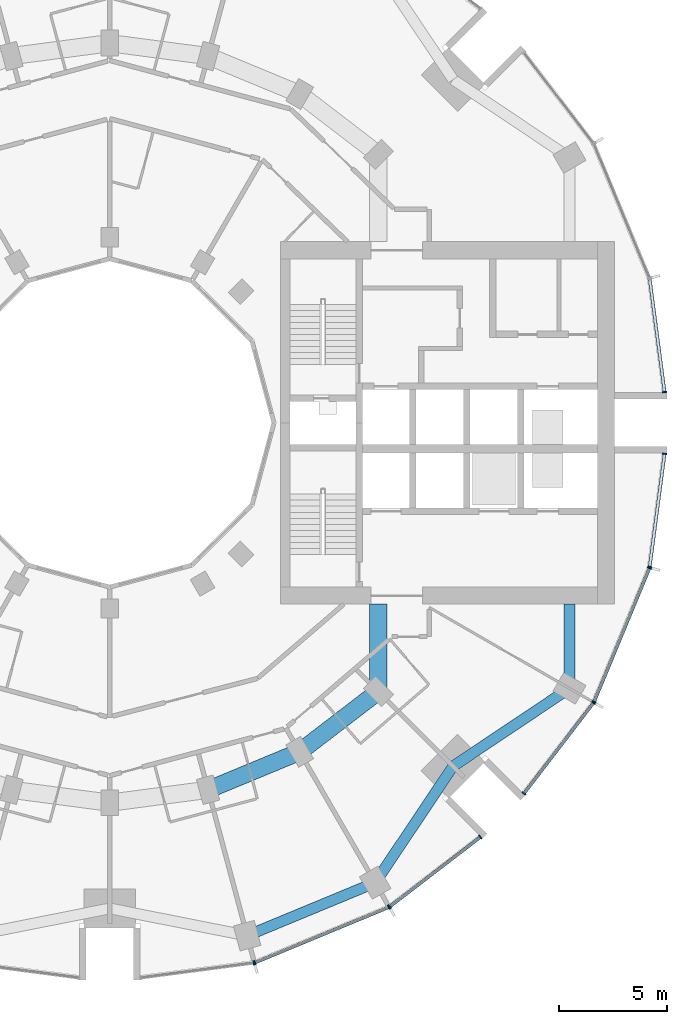
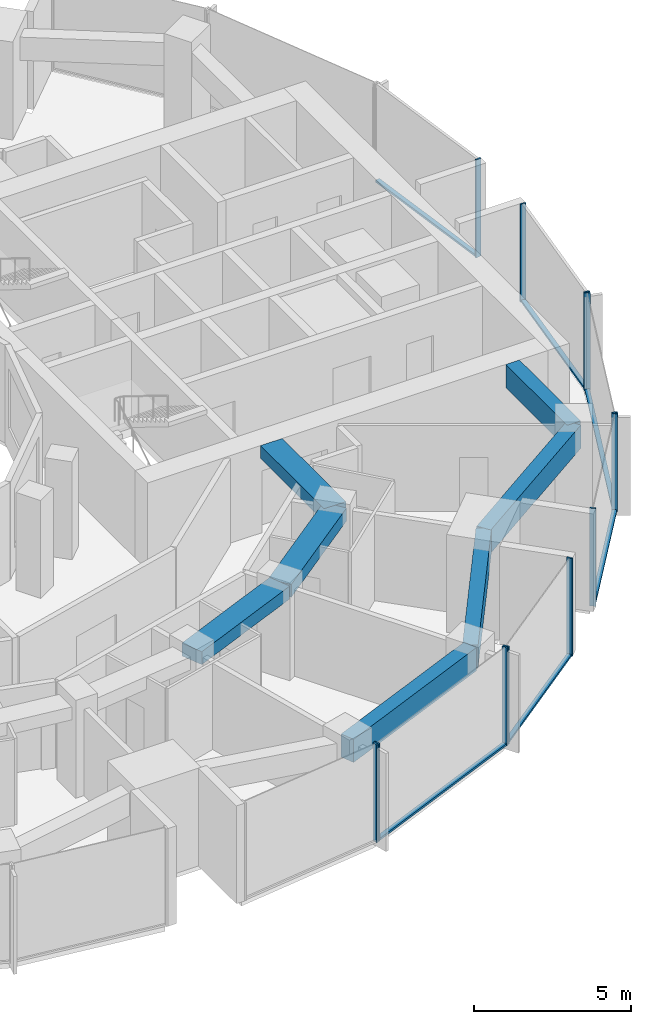
# One storey, part 4 of 15: 18 members, 7 beams, 7 elements without a shape of their own.
"""IFC4 building model written with IfcOpenShell, lengths in metres."""

from ifc_helpers import new_model, si_unit, direction, frame, origin, origin_2d, place, context, subcontext, project, spatial, rectangle, extrude, material, layer, layer_set, material_profile, profile_set, type_object, element, aggregate, save


model = new_model("IFC4")

# Units and contexts
model_context = context("Model", 3, precision=1e-05, world=origin(), true_north=direction((0.0, 1.0)))
body_context = subcontext(model_context, "Body", "Model", "MODEL_VIEW")
ifc_project = project(units=[si_unit("LENGTHUNIT", "METRE"), si_unit("AREAUNIT", "SQUARE_METRE"), si_unit("VOLUMEUNIT", "CUBIC_METRE"), si_unit("PLANEANGLEUNIT", "RADIAN"), si_unit("MASSUNIT", "GRAM", prefix="KILO")], contexts=[model_context])

# Site, building, storey
site_placement = place(None, origin())
site = spatial("IfcSite", under=ifc_project, at=site_placement, CompositionType="ELEMENT")
building_placement = place(site_placement, origin())
building = spatial("IfcBuilding", under=site, at=building_placement, Name="Torre Brocal", CompositionType="ELEMENT")
storey_placement = place(building_placement, frame((0.0, 0.0, 70.60009765625)))
storey = spatial("IfcBuildingStorey", under=building, at=storey_placement, Name="L16", CompositionType="ELEMENT", Elevation=70.60009765625)

# Curtain wall, member
ifc_material_1 = material(Name="Aluminium and glass", Category="aluminium")
ifc_layer_1 = layer(ifc_material_1, 0.199951171875)
ifc_layer_set_1 = layer_set([ifc_layer_1], Name="Aluminium and glass")
curtain_wall_type_1 = type_object("IfcCurtainWallType", Name="CW-1 CURTAIN WALL 3800 HIGH", PredefinedType="NOTDEFINED", material=ifc_layer_set_1)
curtain_wall_1_placement = place(storey_placement, origin())
curtain_wall_1 = element("IfcCurtainWall", 1, at=curtain_wall_1_placement, inside=storey, type_object=curtain_wall_type_1, Name="CW-1 RUN 19", PredefinedType="NOTDEFINED")
ifc_material_2 = material(Name="Aluminium, dark anodised", Category="aluminium")
ifc_material_profile_1 = material_profile(ifc_material_2, rectangle(XDim=0.199951171875, YDim=0.06005859375, at=origin_2d()), Name="CW-1 MULLION 60X200")
ifc_profile_set_1 = profile_set([ifc_material_profile_1], Name="Aluminium, dark anodised")
member_type_1 = type_object("IfcMemberType", Name="CW-1 MULLION 60X200", PredefinedType="MULLION", material=ifc_profile_set_1)
member_1_placement = place(storey_placement, frame((86.67333984375, 49.9794921875, 0.0), z_axis=(0.0, 0.0, 1.0), x_axis=(-0.13052619222, 0.991444861374, 0.0)))
member_1 = element("IfcMember", 2, at=member_1_placement, type_object=member_type_1, Name="CW1-1 mullion 2", PredefinedType="MULLION", context=body_context, shape_type="SweptSolid", body=[
    extrude(rectangle(XDim=0.199951171875, YDim=0.06005859375, at=origin_2d()), origin(), (0.0, 0.0, 1.0), 3.7998046875),
])
aggregate(curtain_wall_1, [member_1])

# Curtain wall, members
curtain_wall_2_placement = place(storey_placement, origin())
curtain_wall_2 = element("IfcCurtainWall", 3, at=curtain_wall_2_placement, inside=storey, type_object=curtain_wall_type_1, Name="CW-1 RUN 20", PredefinedType="NOTDEFINED")
member_2_placement = place(storey_placement, frame((86.73095703125, 49.994873046875, 0.0), z_axis=(0.0, 0.0, 1.0), x_axis=(-0.382683432333, 0.923879532525, 0.0)))
member_2 = element("IfcMember", 4, at=member_2_placement, type_object=member_type_1, Name="CW1-1 mullion 1", PredefinedType="MULLION", context=body_context, shape_type="SweptSolid", body=[
    extrude(rectangle(XDim=0.199951171875, YDim=0.06005859375, at=origin_2d()), origin(), (0.0, 0.0, 1.0), 3.7998046875),
])
member_3_placement = place(storey_placement, frame((92.921875, 52.559326171875, 0.0), z_axis=(0.0, 0.0, 1.0), x_axis=(-0.382683432333, 0.923879532525, 0.0)))
member_3 = element("IfcMember", 5, at=member_3_placement, type_object=member_type_1, Name="CW1-1 mullion 2", PredefinedType="MULLION", context=body_context, shape_type="SweptSolid", body=[
    extrude(rectangle(XDim=0.199951171875, YDim=0.06005859375, at=origin_2d()), origin(), (0.0, 0.0, 1.0), 3.7998046875),
])

curtain_wall_3_placement = place(storey_placement, origin())
curtain_wall_3 = element("IfcCurtainWall", 6, at=curtain_wall_3_placement, inside=storey, type_object=curtain_wall_type_1, Name="CW-1 RUN 21", PredefinedType="NOTDEFINED")
member_4_placement = place(storey_placement, frame((92.973388671875, 52.5888671875, 0.0), z_axis=(0.0, 0.0, 1.0), x_axis=(-0.60876142905, 0.793353340259, 0.0)))
member_4 = element("IfcMember", 7, at=member_4_placement, type_object=member_type_1, Name="CW1-1 mullion 1", PredefinedType="MULLION", context=body_context, shape_type="SweptSolid", body=[
    extrude(rectangle(XDim=0.199951171875, YDim=0.06005859375, at=origin_2d()), origin(), (0.0, 0.0, 1.0), 3.7998046875),
])
member_5_placement = place(storey_placement, frame((97.16943359375, 55.80859375, 0.0), z_axis=(0.0, 0.0, 1.0), x_axis=(-0.60876142905, 0.793353340259, 0.0)))
member_5 = element("IfcMember", 8, at=member_5_placement, type_object=member_type_1, Name="CW1-1 mullion 2", PredefinedType="MULLION", context=body_context, shape_type="SweptSolid", body=[
    extrude(rectangle(XDim=0.199951171875, YDim=0.06005859375, at=origin_2d()), origin(), (0.0, 0.0, 1.0), 3.7998046875),
])

curtain_wall_4_placement = place(storey_placement, origin())
curtain_wall_4 = element("IfcCurtainWall", 9, at=curtain_wall_4_placement, inside=storey, type_object=curtain_wall_type_1, Name="CW-1 RUN 22", PredefinedType="NOTDEFINED")
member_6_placement = place(storey_placement, frame((99.19140625, 57.83056640625, 0.0), z_axis=(0.0, 0.0, 1.0), x_axis=(-0.793353340259, 0.60876142905, 0.0)))
member_6 = element("IfcMember", 10, at=member_6_placement, type_object=member_type_1, Name="CW1-1 mullion 1", PredefinedType="MULLION", context=body_context, shape_type="SweptSolid", body=[
    extrude(rectangle(XDim=0.199951171875, YDim=0.06005859375, at=origin_2d()), origin(), (0.0, 0.0, 1.0), 3.7998046875),
])
member_7_placement = place(storey_placement, frame((102.4111328125, 62.026611328125, 0.0), z_axis=(0.0, 0.0, 1.0), x_axis=(-0.793353340259, 0.60876142905, 0.0)))
member_7 = element("IfcMember", 11, at=member_7_placement, type_object=member_type_1, Name="CW1-1 mullion 2", PredefinedType="MULLION", context=body_context, shape_type="SweptSolid", body=[
    extrude(rectangle(XDim=0.199951171875, YDim=0.06005859375, at=origin_2d()), origin(), (0.0, 0.0, 1.0), 3.7998046875),
])

curtain_wall_5_placement = place(storey_placement, origin())
curtain_wall_5 = element("IfcCurtainWall", 12, at=curtain_wall_5_placement, inside=storey, type_object=curtain_wall_type_1, Name="CW-1 RUN 23", PredefinedType="NOTDEFINED")
member_8_placement = place(storey_placement, frame((102.440673828125, 62.078125, 0.0), z_axis=(0.0, 0.0, 1.0), x_axis=(-0.923879532525, 0.382683432333, 0.0)))
member_8 = element("IfcMember", 13, at=member_8_placement, type_object=member_type_1, Name="CW1-1 mullion 1", PredefinedType="MULLION", context=body_context, shape_type="SweptSolid", body=[
    extrude(rectangle(XDim=0.199951171875, YDim=0.06005859375, at=origin_2d()), origin(), (0.0, 0.0, 1.0), 3.7998046875),
])
member_9_placement = place(storey_placement, frame((105.005126953125, 68.26904296875, 0.0), z_axis=(0.0, 0.0, 1.0), x_axis=(-0.923879532525, 0.382683432333, 0.0)))
member_9 = element("IfcMember", 14, at=member_9_placement, type_object=member_type_1, Name="CW1-1 mullion 2", PredefinedType="MULLION", context=body_context, shape_type="SweptSolid", body=[
    extrude(rectangle(XDim=0.199951171875, YDim=0.06005859375, at=origin_2d()), origin(), (0.0, 0.0, 1.0), 3.7998046875),
])

# Member
ifc_material_3 = material(Name="Aluminium, dark anodised", Category="aluminium")
ifc_material_profile_2 = material_profile(ifc_material_3, rectangle(XDim=0.159912109375, YDim=0.080078125, at=origin_2d()), Name="CW-1 TRANSOM 160X80")
ifc_profile_set_2 = profile_set([ifc_material_profile_2], Name="Aluminium, dark anodised")
member_type_2 = type_object("IfcMemberType", Name="CW-1 TRANSOM 160X80", PredefinedType="USERDEFINED", material=ifc_profile_set_2)
member_10_placement = place(storey_placement, frame((86.758544921875, 50.00634765625, 0.039794921875), z_axis=(0.923887344364, 0.38266457234, 0.0), x_axis=(-0.38266457234, 0.923887344364, 0.0)))
member_10 = element("IfcMember", 15, at=member_10_placement, type_object=member_type_2, Name="CW1-1 transom 1.1", ObjectType="TRANSOM", PredefinedType="USERDEFINED", context=body_context, shape_type="SweptSolid", body=[
    extrude(rectangle(XDim=0.159912109375, YDim=0.080078125, at=origin_2d()), origin(), (0.0, 0.0, 1.0), 6.640869140625),
])

aggregate(curtain_wall_2, [member_2, member_3, member_10])

member_11_placement = place(storey_placement, frame((92.9970703125, 52.607177734375, 0.039794921875), z_axis=(0.79336281513, 0.60874908096, 0.0), x_axis=(-0.60874908096, 0.79336281513, 0.0)))
member_11 = element("IfcMember", 16, at=member_11_placement, type_object=member_type_2, Name="CW1-1 transom 1.1", ObjectType="TRANSOM", PredefinedType="USERDEFINED", context=body_context, shape_type="SweptSolid", body=[
    extrude(rectangle(XDim=0.159912109375, YDim=0.080078125, at=origin_2d()), origin(), (0.0, 0.0, 1.0), 5.22900390625),
])

aggregate(curtain_wall_3, [member_4, member_5, member_11])

member_12_placement = place(storey_placement, frame((99.209716796875, 57.8544921875, 0.039794921875), z_axis=(0.60874908096, 0.79336281513, 0.0), x_axis=(-0.79336281513, 0.60874908096, 0.0)))
member_12 = element("IfcMember", 17, at=member_12_placement, type_object=member_type_2, Name="CW1-1 transom 1.1", ObjectType="TRANSOM", PredefinedType="USERDEFINED", context=body_context, shape_type="SweptSolid", body=[
    extrude(rectangle(XDim=0.159912109375, YDim=0.080078125, at=origin_2d()), origin(), (0.0, 0.0, 1.0), 5.22900390625),
])

aggregate(curtain_wall_4, [member_6, member_7, member_12])

member_13_placement = place(storey_placement, frame((102.452392578125, 62.10595703125, 0.039794921875), z_axis=(0.38266457234, 0.923887344364, 0.0), x_axis=(-0.923887344364, 0.38266457234, 0.0)))
member_13 = element("IfcMember", 18, at=member_13_placement, type_object=member_type_2, Name="CW1-1 transom 1.1", ObjectType="TRANSOM", PredefinedType="USERDEFINED", context=body_context, shape_type="SweptSolid", body=[
    extrude(rectangle(XDim=0.159912109375, YDim=0.080078125, at=origin_2d()), origin(), (0.0, 0.0, 1.0), 6.640869140625),
])

aggregate(curtain_wall_5, [member_8, member_9, member_13])

# Curtain wall, member
ifc_material_4 = material(Name="Aluminium and glass", Category="aluminium")
ifc_layer_2 = layer(ifc_material_4, 0.199951171875)
ifc_layer_set_2 = layer_set([ifc_layer_2], Name="Aluminium and glass")
curtain_wall_type_2 = type_object("IfcCurtainWallType", Name="CW-1B CURTAIN WALL 3800 HIGH", PredefinedType="NOTDEFINED", material=ifc_layer_set_2)
curtain_wall_6_placement = place(storey_placement, origin())
curtain_wall_6 = element("IfcCurtainWall", 19, at=curtain_wall_6_placement, inside=storey, type_object=curtain_wall_type_2, Name="CW-1B RUN 1", PredefinedType="NOTDEFINED")
ifc_material_5 = material(Name="Aluminium, dark anodised", Category="aluminium")
ifc_material_profile_3 = material_profile(ifc_material_5, rectangle(XDim=0.199951171875, YDim=0.06005859375, at=origin_2d()), Name="CW-1B MULLION 60X200")
ifc_profile_set_3 = profile_set([ifc_material_profile_3], Name="Aluminium, dark anodised")
member_type_3 = type_object("IfcMemberType", Name="CW-1B MULLION 60X200", PredefinedType="MULLION", material=ifc_profile_set_3)
member_14_placement = place(storey_placement, frame((105.7109375, 76.4296875, 0.0), z_axis=(0.0, 0.0, 1.0), x_axis=(-0.991444861374, -0.13052619222, 0.0)))
member_14 = element("IfcMember", 20, at=member_14_placement, type_object=member_type_3, Name="CW1B-1 mullion 1", PredefinedType="MULLION", context=body_context, shape_type="SweptSolid", body=[
    extrude(rectangle(XDim=0.199951171875, YDim=0.06005859375, at=origin_2d()), origin(), (0.0, 0.0, 1.0), 3.7998046875),
])

# Curtain wall, members
curtain_wall_7_placement = place(storey_placement, origin())
curtain_wall_7 = element("IfcCurtainWall", 21, at=curtain_wall_7_placement, inside=storey, type_object=curtain_wall_type_2, Name="CW-1B RUN 24", PredefinedType="NOTDEFINED")
member_15_placement = place(storey_placement, frame((105.0205078125, 68.32666015625, 0.0), z_axis=(0.0, 0.0, 1.0), x_axis=(-0.991444861374, 0.13052619222, 0.0)))
member_15 = element("IfcMember", 22, at=member_15_placement, type_object=member_type_3, Name="CW1B-1 mullion 1", PredefinedType="MULLION", context=body_context, shape_type="SweptSolid", body=[
    extrude(rectangle(XDim=0.199951171875, YDim=0.06005859375, at=origin_2d()), origin(), (0.0, 0.0, 1.0), 3.7998046875),
])
member_16_placement = place(storey_placement, frame((105.7109375, 73.5703125, 0.0), z_axis=(0.0, 0.0, 1.0), x_axis=(-0.991444861374, 0.13052619222, 0.0)))
member_16 = element("IfcMember", 23, at=member_16_placement, type_object=member_type_3, Name="CW1B-1 mullion 2", PredefinedType="MULLION", context=body_context, shape_type="SweptSolid", body=[
    extrude(rectangle(XDim=0.199951171875, YDim=0.06005859375, at=origin_2d()), origin(), (0.0, 0.0, 1.0), 3.7998046875),
])

# Member
ifc_material_6 = material(Name="Aluminium, dark anodised", Category="aluminium")
ifc_material_profile_4 = material_profile(ifc_material_6, rectangle(XDim=0.159912109375, YDim=0.080078125, at=origin_2d()), Name="CW-1B TRANSOM 160X80")
ifc_profile_set_4 = profile_set([ifc_material_profile_4], Name="Aluminium, dark anodised")
member_type_4 = type_object("IfcMemberType", Name="CW-1B TRANSOM 160X80", PredefinedType="USERDEFINED", material=ifc_profile_set_4)
member_17_placement = place(storey_placement, frame((105.70703125, 76.45947265625, 0.039794921875), z_axis=(-0.130542677827, 0.991442690863, 0.0), x_axis=(-0.991442690863, -0.130542677827, 0.0)))
member_17 = element("IfcMember", 24, at=member_17_placement, type_object=member_type_4, Name="CW1B-1 transom 1.1", ObjectType="TRANSOM", PredefinedType="USERDEFINED", context=body_context, shape_type="SweptSolid", body=[
    extrude(rectangle(XDim=0.159912109375, YDim=0.080078125, at=origin_2d()), origin(), (0.0, 0.0, 1.0), 5.22900390625),
])

aggregate(curtain_wall_6, [member_14, member_17])

member_18_placement = place(storey_placement, frame((105.0244140625, 68.356201171875, 0.039794921875), z_axis=(0.130542677827, 0.991442690863, 0.0), x_axis=(-0.991442690863, 0.130542677827, 0.0)))
member_18 = element("IfcMember", 25, at=member_18_placement, type_object=member_type_4, Name="CW1B-1 transom 1.1", ObjectType="TRANSOM", PredefinedType="USERDEFINED", context=body_context, shape_type="SweptSolid", body=[
    extrude(rectangle(XDim=0.159912109375, YDim=0.080078125, at=origin_2d()), origin(), (0.0, 0.0, 1.0), 5.22900390625),
])

aggregate(curtain_wall_7, [member_15, member_16, member_18])

# Beams
ifc_material_7 = material(Name="Concrete C50", Category="concrete")
ifc_material_profile_5 = material_profile(ifc_material_7, rectangle(XDim=0.800048828125, YDim=0.5, at=origin_2d()), Name="RC 800X500")
ifc_profile_set_5 = profile_set([ifc_material_profile_5], Name="Concrete C50")
beam_type_1 = type_object("IfcBeamType", Name="RC BEAM 800X500 C50 TOP 3400", PredefinedType="BEAM", material=ifc_profile_set_5)
beam_1_placement = place(storey_placement, frame((84.55517578125, 57.999755859375, 3.14990234375), z_axis=(0.923878240166, 0.382686552348, 0.0), x_axis=(-0.382686552348, 0.923878240166, 0.0)))
element("IfcBeam", 26, at=beam_1_placement, inside=storey, type_object=beam_type_1, Name="Beam BT-21", PredefinedType="BEAM", context=body_context, shape_type="SweptSolid", body=[
    extrude(rectangle(XDim=0.800048828125, YDim=0.5, at=origin_2d()), origin(), (0.0, 0.0, 1.0), 4.5947265625),
])
beam_2_placement = place(storey_placement, frame((88.800048828125, 59.758056640625, 3.14990234375), z_axis=(0.793358265959, 0.6087550097, 0.0), x_axis=(-0.6087550097, 0.793358265959, 0.0)))
element("IfcBeam", 27, at=beam_2_placement, inside=storey, type_object=beam_type_1, Name="Beam BT-21", PredefinedType="BEAM", context=body_context, shape_type="SweptSolid", body=[
    extrude(rectangle(XDim=0.800048828125, YDim=0.5, at=origin_2d()), origin(), (0.0, 0.0, 1.0), 4.594482421875),
])
beam_3_placement = place(storey_placement, frame((92.445068359375, 62.554931640625, 3.14990234375), z_axis=(0.0, 1.0, 0.0), x_axis=(-1.0, 0.0, 0.0)))
element("IfcBeam", 28, at=beam_3_placement, inside=storey, type_object=beam_type_1, Name="Beam BT-21", PredefinedType="BEAM", context=body_context, shape_type="SweptSolid", body=[
    extrude(rectangle(XDim=0.800048828125, YDim=0.5, at=origin_2d()), origin(), (0.0, 0.0, 1.0), 4.045166015625),
])
ifc_material_8 = material(Name="Concrete C50", Category="concrete")
ifc_material_profile_6 = material_profile(ifc_material_8, rectangle(XDim=0.5, YDim=0.89990234375, at=origin_2d()), Name="RC 500X900")
ifc_profile_set_6 = profile_set([ifc_material_profile_6], Name="Concrete C50")
beam_type_2 = type_object("IfcBeamType", Name="RC SPANDREL BEAM 500X900 C50 TOP 3400", PredefinedType="SPANDREL", material=ifc_profile_set_6)
beam_4_placement = place(storey_placement, frame((86.366943359375, 51.23828125, 2.949951171875), z_axis=(0.923882462513, 0.382676358639, 0.0), x_axis=(-0.382676358639, 0.923882462513, 0.0)))
element("IfcBeam", 29, at=beam_4_placement, inside=storey, type_object=beam_type_2, Name="Beam BT-22", PredefinedType="SPANDREL", context=body_context, shape_type="SweptSolid", body=[
    extrude(rectangle(XDim=0.5, YDim=0.89990234375, at=origin_2d()), origin(), (0.0, 0.0, 1.0), 6.421875),
])
for number, where, z_axis, x_axis, name in (
    (30, (92.300048828125, 53.69580078125, 2.949951171875), (0.556157602282, 0.831076844476, 0.0), (-0.831076844476, 0.556157602282, 0.0), "Beam BT-22"),
    (31, (95.909912109375, 59.090087890625, 2.949951171875), (0.831076844476, 0.556157602282, 0.0), (-0.556157602282, 0.831076844476, 0.0), "Beam BT-22"),
):
    element("IfcBeam", number, at=place(storey_placement, frame(where, z_axis=z_axis, x_axis=x_axis)), inside=storey, type_object=beam_type_2, Name=name, PredefinedType="SPANDREL", context=body_context, shape_type="SweptSolid", body=[
        extrude(rectangle(XDim=0.5, YDim=0.89990234375, at=origin_2d()), origin(), (0.0, 0.0, 1.0), 6.49072265625),
    ])
beam_5_placement = place(storey_placement, frame((101.30419921875, 62.699951171875, 2.949951171875), z_axis=(0.0, 1.0, 0.0), x_axis=(-1.0, 0.0, 0.0)))
element("IfcBeam", 32, at=beam_5_placement, inside=storey, type_object=beam_type_2, Name="Beam BT-22", PredefinedType="SPANDREL", context=body_context, shape_type="SweptSolid", body=[
    extrude(rectangle(XDim=0.5, YDim=0.89990234375, at=origin_2d()), origin(), (0.0, 0.0, 1.0), 3.900146484375),
])

save(model, "model.ifc")
